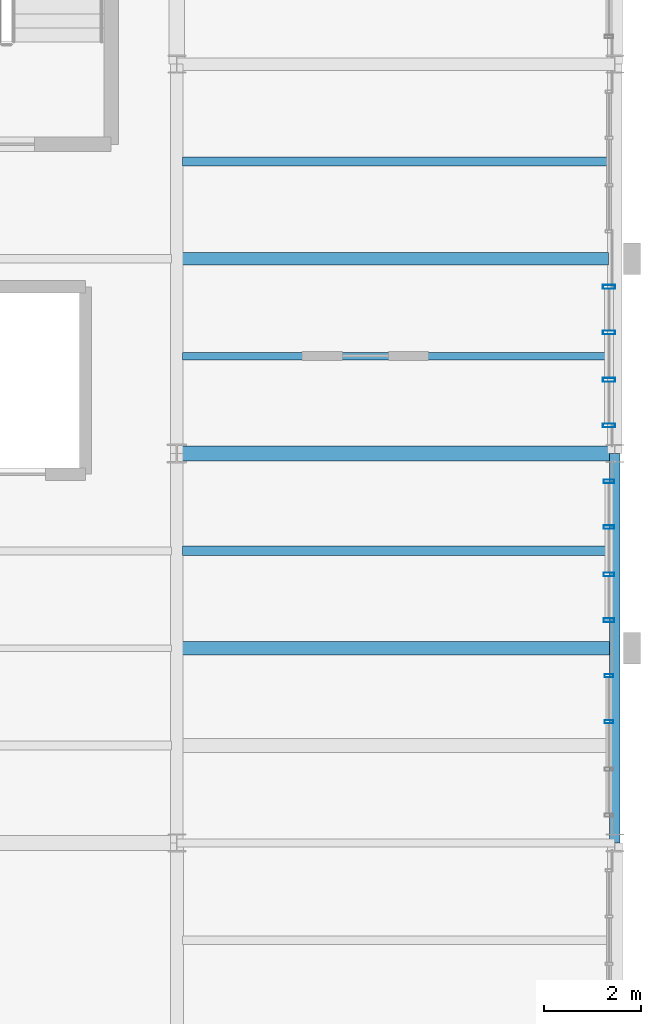
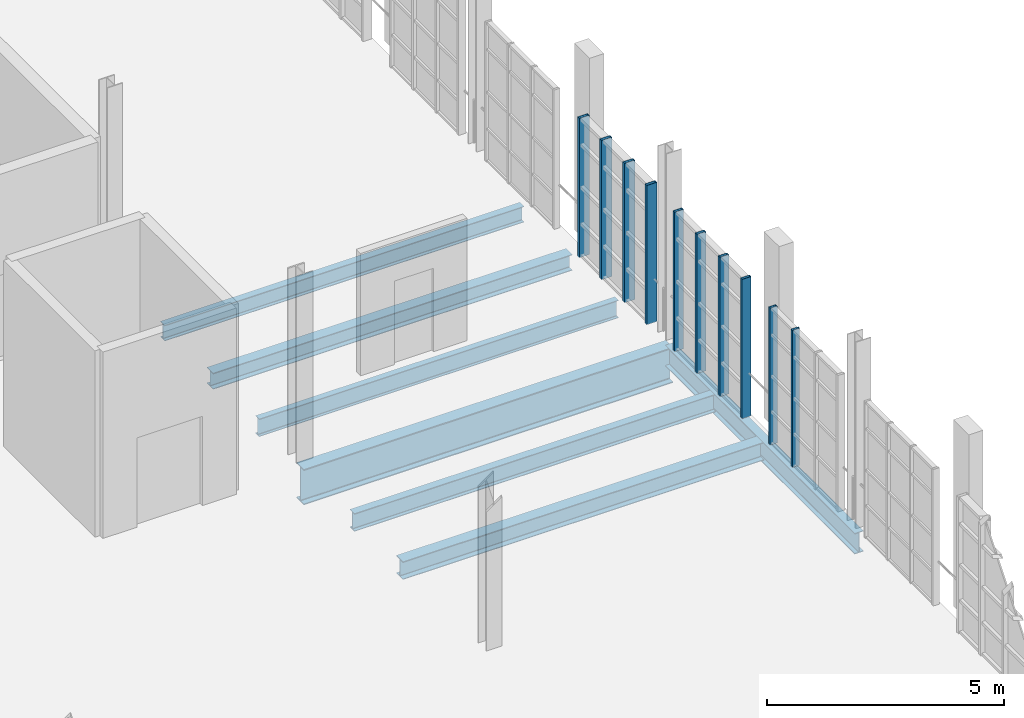
# One storey, part 57 of 122: 10 members, 7 beams, 3 elements without a shape of their own.
"""IFC4 building model written with IfcOpenShell, lengths in metres."""

from ifc_helpers import new_model, si_unit, direction, frame, origin, origin_2d, place, context, subcontext, project, spatial, hollow_rectangle, i_section, extrude, material, layer, layer_set, material_profile, profile_set, type_object, element, aggregate, save


model = new_model("IFC4")

# Units and contexts
model_context = context("Model", 3, precision=1e-05, world=origin(), true_north=direction((0.0, 1.0)))
body_context = subcontext(model_context, "Body", "Model", "MODEL_VIEW")
ifc_project = project(units=[si_unit("LENGTHUNIT", "METRE"), si_unit("AREAUNIT", "SQUARE_METRE"), si_unit("VOLUMEUNIT", "CUBIC_METRE"), si_unit("PLANEANGLEUNIT", "RADIAN"), si_unit("MASSUNIT", "GRAM", prefix="KILO"), si_unit("THERMODYNAMICTEMPERATUREUNIT", "KELVIN"), si_unit("POWERUNIT", "WATT")], contexts=[model_context])

# Site, building, storey
site_placement = place(None, origin())
site = spatial("IfcSite", under=ifc_project, at=site_placement, CompositionType="ELEMENT")
building_placement = place(site_placement, origin())
building = spatial("IfcBuilding", under=site, at=building_placement, Name="Zelmaris Science Centre", CompositionType="ELEMENT")
storey_placement = place(building_placement, frame((0.0, 0.0, 10.800048828125)))
storey = spatial("IfcBuildingStorey", under=building, at=storey_placement, Name="L02", CompositionType="ELEMENT", Elevation=10.800048828125)

# Curtain wall, members
ifc_material_1 = material(Name="Anodised architectural aluminium 6063-T6", Category="aluminium")
ifc_layer_1 = layer(ifc_material_1, 0.2099609375, Name="Anodised architectural aluminium 6063-T6")
ifc_layer_set_1 = layer_set([ifc_layer_1], Name="Anodised architectural aluminium 6063-T6")
curtain_wall_type_1 = type_object("IfcCurtainWallType", Name="Curtain Wall CW-03", PredefinedType="USERDEFINED", material=ifc_layer_set_1)
curtain_wall_1_placement = place(storey_placement, origin())
curtain_wall_1 = element("IfcCurtainWall", 1, at=curtain_wall_1_placement, inside=storey, type_object=curtain_wall_type_1, Name="L02 Unitised curtain wall 231", ObjectType="GLAZED CURTAIN WALL", PredefinedType="USERDEFINED")
ifc_material_profile_1 = material_profile(ifc_material_1, hollow_rectangle(XDim=0.06494140625, YDim=0.179931640625, WallThickness=0.00390625, at=origin_2d()), Name="ALU-MUL-65X180")
ifc_profile_set_1 = profile_set([ifc_material_profile_1], Name="Anodised architectural aluminium 6063-T6")
member_type_1 = type_object("IfcMemberType", Name="ALU-MUL-65X180", PredefinedType="MULLION", material=ifc_profile_set_1)
member_1_placement = place(storey_placement, frame((143.8798828125, 27.431396484375, -0.01513671875), z_axis=(0.0, 0.0, 1.0), x_axis=(0.0, -1.0, 0.0)))
member_1 = element("IfcMember", 2, at=member_1_placement, type_object=member_type_1, Name="CW-03 mullion 1", PredefinedType="MULLION", context=body_context, shape_type="SweptSolid", body=[
    extrude(hollow_rectangle(XDim=0.06494140625, YDim=0.179931640625, WallThickness=0.00390625, at=origin_2d()), origin(), (0.0, 0.0, 1.0), 3.529052734375),
])
member_2_placement = place(storey_placement, frame((143.8798828125, 26.486572265625, -0.01513671875), z_axis=(0.0, 0.0, 1.0), x_axis=(0.0, -1.0, 0.0)))
member_2 = element("IfcMember", 3, at=member_2_placement, type_object=member_type_1, Name="CW-03 mullion 2", PredefinedType="MULLION", context=body_context, shape_type="SweptSolid", body=[
    extrude(hollow_rectangle(XDim=0.06494140625, YDim=0.179931640625, WallThickness=0.00390625, at=origin_2d()), origin(), (0.0, 0.0, 1.0), 3.529052734375),
])
aggregate(curtain_wall_1, [member_1, member_2])

ifc_layer_2 = layer(ifc_material_1, 0.199951171875, Name="Anodised architectural aluminium 6063-T6")
ifc_layer_set_2 = layer_set([ifc_layer_2], Name="Anodised architectural aluminium 6063-T6")
curtain_wall_type_2 = type_object("IfcCurtainWallType", Name="Curtain Wall CW-02", PredefinedType="USERDEFINED", material=ifc_layer_set_2)
curtain_wall_2_placement = place(storey_placement, origin())
curtain_wall_2 = element("IfcCurtainWall", 4, at=curtain_wall_2_placement, inside=storey, type_object=curtain_wall_type_2, Name="L02 Unitised curtain wall 230", ObjectType="GLAZED CURTAIN WALL", PredefinedType="USERDEFINED")
ifc_material_profile_2 = material_profile(ifc_material_1, hollow_rectangle(XDim=0.074951171875, YDim=0.219970703125, WallThickness=0.0048828125, at=origin_2d()), Name="ALU-MUL-75X220")
ifc_profile_set_2 = profile_set([ifc_material_profile_2], Name="Anodised architectural aluminium 6063-T6")
member_type_2 = type_object("IfcMemberType", Name="ALU-MUL-75X220", PredefinedType="MULLION", material=ifc_profile_set_2)
member_3_placement = place(storey_placement, frame((143.8798828125, 31.426513671875, -0.01513671875), z_axis=(0.0, 0.0, 1.0), x_axis=(0.0, -1.0, 0.0)))
member_3 = element("IfcMember", 5, at=member_3_placement, type_object=member_type_2, Name="CW-02 mullion 1", PredefinedType="MULLION", context=body_context, shape_type="SweptSolid", body=[
    extrude(hollow_rectangle(XDim=0.074951171875, YDim=0.219970703125, WallThickness=0.0048828125, at=origin_2d()), origin(), (0.0, 0.0, 1.0), 3.588134765625),
])
member_4_placement = place(storey_placement, frame((143.8798828125, 30.486572265625, -0.01513671875), z_axis=(0.0, 0.0, 1.0), x_axis=(0.0, -1.0, 0.0)))
member_4 = element("IfcMember", 6, at=member_4_placement, type_object=member_type_2, Name="CW-02 mullion 2", PredefinedType="MULLION", context=body_context, shape_type="SweptSolid", body=[
    extrude(hollow_rectangle(XDim=0.074951171875, YDim=0.219970703125, WallThickness=0.0048828125, at=origin_2d()), origin(), (0.0, 0.0, 1.0), 3.588134765625),
])
member_5_placement = place(storey_placement, frame((143.8798828125, 29.513427734375, -0.01513671875), z_axis=(0.0, 0.0, 1.0), x_axis=(0.0, -1.0, 0.0)))
member_5 = element("IfcMember", 7, at=member_5_placement, type_object=member_type_2, Name="CW-02 mullion 3", PredefinedType="MULLION", context=body_context, shape_type="SweptSolid", body=[
    extrude(hollow_rectangle(XDim=0.074951171875, YDim=0.219970703125, WallThickness=0.0048828125, at=origin_2d()), origin(), (0.0, 0.0, 1.0), 3.588134765625),
])
member_6_placement = place(storey_placement, frame((143.8798828125, 28.573486328125, -0.01513671875), z_axis=(0.0, 0.0, 1.0), x_axis=(0.0, -1.0, 0.0)))
member_6 = element("IfcMember", 8, at=member_6_placement, type_object=member_type_2, Name="CW-02 mullion 4", PredefinedType="MULLION", context=body_context, shape_type="SweptSolid", body=[
    extrude(hollow_rectangle(XDim=0.074951171875, YDim=0.219970703125, WallThickness=0.0048828125, at=origin_2d()), origin(), (0.0, 0.0, 1.0), 3.588134765625),
])
aggregate(curtain_wall_2, [member_3, member_4, member_5, member_6])

ifc_layer_3 = layer(ifc_material_1, 0.18994140625, Name="Anodised architectural aluminium 6063-T6")
ifc_layer_set_3 = layer_set([ifc_layer_3], Name="Anodised architectural aluminium 6063-T6")
curtain_wall_type_3 = type_object("IfcCurtainWallType", Name="Curtain Wall CW-01", PredefinedType="USERDEFINED", material=ifc_layer_set_3)
curtain_wall_3_placement = place(storey_placement, origin())
curtain_wall_3 = element("IfcCurtainWall", 9, at=curtain_wall_3_placement, inside=storey, type_object=curtain_wall_type_3, Name="L02 Unitised curtain wall 229", ObjectType="GLAZED CURTAIN WALL", PredefinedType="USERDEFINED")
ifc_material_profile_3 = material_profile(ifc_material_1, hollow_rectangle(XDim=0.080078125, YDim=0.25, WallThickness=0.0048828125, at=origin_2d()), Name="ALU-MUL-80X250")
ifc_profile_set_3 = profile_set([ifc_material_profile_3], Name="Anodised architectural aluminium 6063-T6")
member_type_3 = type_object("IfcMemberType", Name="ALU-MUL-80X250", PredefinedType="MULLION", material=ifc_profile_set_3)
member_7_placement = place(storey_placement, frame((143.8798828125, 35.424072265625, -0.01513671875), z_axis=(0.0, 0.0, 1.0), x_axis=(0.0, -1.0, 0.0)))
member_7 = element("IfcMember", 10, at=member_7_placement, type_object=member_type_3, Name="CW-01 mullion 1", PredefinedType="MULLION", context=body_context, shape_type="SweptSolid", body=[
    extrude(hollow_rectangle(XDim=0.080078125, YDim=0.25, WallThickness=0.0048828125, at=origin_2d()), origin(), (0.0, 0.0, 1.0), 3.588134765625),
])
member_8_placement = place(storey_placement, frame((143.8798828125, 34.486572265625, -0.01513671875), z_axis=(0.0, 0.0, 1.0), x_axis=(0.0, -1.0, 0.0)))
member_8 = element("IfcMember", 11, at=member_8_placement, type_object=member_type_3, Name="CW-01 mullion 2", PredefinedType="MULLION", context=body_context, shape_type="SweptSolid", body=[
    extrude(hollow_rectangle(XDim=0.080078125, YDim=0.25, WallThickness=0.0048828125, at=origin_2d()), origin(), (0.0, 0.0, 1.0), 3.588134765625),
])
member_9_placement = place(storey_placement, frame((143.8798828125, 33.513427734375, -0.01513671875), z_axis=(0.0, 0.0, 1.0), x_axis=(0.0, -1.0, 0.0)))
member_9 = element("IfcMember", 12, at=member_9_placement, type_object=member_type_3, Name="CW-01 mullion 3", PredefinedType="MULLION", context=body_context, shape_type="SweptSolid", body=[
    extrude(hollow_rectangle(XDim=0.080078125, YDim=0.25, WallThickness=0.0048828125, at=origin_2d()), origin(), (0.0, 0.0, 1.0), 3.588134765625),
])
member_10_placement = place(storey_placement, frame((143.8798828125, 32.575927734375, -0.01513671875), z_axis=(0.0, 0.0, 1.0), x_axis=(0.0, -1.0, 0.0)))
member_10 = element("IfcMember", 13, at=member_10_placement, type_object=member_type_3, Name="CW-01 mullion 4", PredefinedType="MULLION", context=body_context, shape_type="SweptSolid", body=[
    extrude(hollow_rectangle(XDim=0.080078125, YDim=0.25, WallThickness=0.0048828125, at=origin_2d()), origin(), (0.0, 0.0, 1.0), 3.588134765625),
])
aggregate(curtain_wall_3, [member_7, member_8, member_9, member_10])

# Beams
ifc_material_2 = material(Name="Steel ASTM A992 Grade 50", Category="steel")
ifc_material_profile_4 = material_profile(ifc_material_2, i_section(OverallWidth=0.304931640625, OverallDepth=0.9140625, WebThickness=0.0166015625, FlangeThickness=0.02587890625, FilletRadius=0.02392578125, at=origin_2d()), Name="W36X160")
ifc_profile_set_4 = profile_set([ifc_material_profile_4], Name="Steel ASTM A992 Grade 50")
beam_type_1 = type_object("IfcBeamType", Name="Beam G-04 W36X160", PredefinedType="BEAM", material=ifc_profile_set_4)
beam_1_placement = place(storey_placement, frame((135.0, 32.0, -0.717041015625), z_axis=(1.0, 0.0, 0.0), x_axis=(0.0, 1.0, 0.0)))
element("IfcBeam", 14, at=beam_1_placement, inside=storey, type_object=beam_type_1, Name="L02 East-west girder 559", PredefinedType="BEAM", context=body_context, shape_type="SweptSolid", body=[
    extrude(i_section(OverallWidth=0.304931640625, OverallDepth=0.9140625, WebThickness=0.0166015625, FlangeThickness=0.02587890625, FilletRadius=0.02392578125, at=origin_2d()), origin(), (0.0, 0.0, 1.0), 9.0),
])
ifc_material_profile_5 = material_profile(ifc_material_2, i_section(OverallWidth=0.2109375, OverallDepth=0.5380859375, WebThickness=0.01171875, FlangeThickness=0.018798828125, FilletRadius=0.013916015625, at=origin_2d()), Name="W21X73")
ifc_profile_set_5 = profile_set([ifc_material_profile_5], Name="Steel ASTM A992 Grade 50")
beam_type_2 = type_object("IfcBeamType", Name="Beam G-19 W21X73", PredefinedType="BEAM", material=ifc_profile_set_5)
beam_2_placement = place(storey_placement, frame((144.0, 24.0, -0.529052734375), z_axis=(0.0, 1.0, 0.0), x_axis=(-1.0, 0.0, 0.0)))
element("IfcBeam", 15, at=beam_2_placement, inside=storey, type_object=beam_type_2, Name="L02 North-south girder 539", PredefinedType="BEAM", context=body_context, shape_type="SweptSolid", body=[
    extrude(i_section(OverallWidth=0.2109375, OverallDepth=0.5380859375, WebThickness=0.01171875, FlangeThickness=0.018798828125, FilletRadius=0.013916015625, at=origin_2d()), origin(), (0.0, 0.0, 1.0), 8.0),
])
ifc_material_profile_6 = material_profile(ifc_material_2, i_section(OverallWidth=0.279052734375, OverallDepth=0.4619140625, WebThickness=0.0107421875, FlangeThickness=0.017333984375, FilletRadius=0.012939453125, at=origin_2d()), Name="W18X76")
ifc_profile_set_6 = profile_set([ifc_material_profile_6], Name="Steel ASTM A992 Grade 50")
beam_type_3 = type_object("IfcBeamType", Name="Beam J-03 W18X76", PredefinedType="JOIST", material=ifc_profile_set_6)
beam_3_placement = place(storey_placement, frame((135.113525390625, 28.0, -0.490966796875), z_axis=(1.0, 0.0, 0.0), x_axis=(0.0, 1.0, 0.0)))
element("IfcBeam", 16, at=beam_3_placement, inside=storey, type_object=beam_type_3, Name="L02 Composite floor joist 308", PredefinedType="JOIST", context=body_context, shape_type="SweptSolid", body=[
    extrude(i_section(OverallWidth=0.279052734375, OverallDepth=0.4619140625, WebThickness=0.0107421875, FlangeThickness=0.017333984375, FilletRadius=0.012939453125, at=origin_2d()), origin(), (0.0, 0.0, 1.0), 8.7958984375),
])
ifc_material_profile_7 = material_profile(ifc_material_2, i_section(OverallWidth=0.19091796875, OverallDepth=0.4599609375, WebThickness=0.010009765625, FlangeThickness=0.01611328125, FilletRadius=0.012939453125, at=origin_2d()), Name="W18X55")
ifc_profile_set_7 = profile_set([ifc_material_profile_7], Name="Steel ASTM A992 Grade 50")
beam_type_4 = type_object("IfcBeamType", Name="Beam J-04 W18X55", PredefinedType="JOIST", material=ifc_profile_set_7)
beam_4_placement = place(storey_placement, frame((135.113525390625, 30.0, -0.489990234375), z_axis=(1.0, 0.0, 0.0), x_axis=(0.0, 1.0, 0.0)))
element("IfcBeam", 17, at=beam_4_placement, inside=storey, type_object=beam_type_4, Name="L02 Composite floor joist 309", PredefinedType="JOIST", context=body_context, shape_type="SweptSolid", body=[
    extrude(i_section(OverallWidth=0.19091796875, OverallDepth=0.4599609375, WebThickness=0.010009765625, FlangeThickness=0.01611328125, FilletRadius=0.012939453125, at=origin_2d()), origin(), (0.0, 0.0, 1.0), 8.7958984375),
])
ifc_material_profile_8 = material_profile(ifc_material_2, i_section(OverallWidth=0.152099609375, OverallDepth=0.455078125, WebThickness=0.008056640625, FlangeThickness=0.01318359375, FilletRadius=0.012939453125, at=origin_2d()), Name="W18X40")
ifc_profile_set_8 = profile_set([ifc_material_profile_8], Name="Steel ASTM A992 Grade 50")
beam_type_5 = type_object("IfcBeamType", Name="Beam J-05 W18X40", PredefinedType="JOIST", material=ifc_profile_set_8)
beam_5_placement = place(storey_placement, frame((135.112060546875, 34.0, -0.487548828125), z_axis=(1.0, 0.0, 0.0), x_axis=(0.0, 1.0, 0.0)))
element("IfcBeam", 18, at=beam_5_placement, inside=storey, type_object=beam_type_5, Name="L02 Composite floor joist 310", PredefinedType="JOIST", context=body_context, shape_type="SweptSolid", body=[
    extrude(i_section(OverallWidth=0.152099609375, OverallDepth=0.455078125, WebThickness=0.008056640625, FlangeThickness=0.01318359375, FilletRadius=0.012939453125, at=origin_2d()), origin(), (0.0, 0.0, 1.0), 8.7529296875),
])
ifc_material_profile_9 = material_profile(ifc_material_2, i_section(OverallWidth=0.260009765625, OverallDepth=0.4140625, WebThickness=0.010009765625, FlangeThickness=0.016845703125, FilletRadius=0.011962890625, at=origin_2d()), Name="W16X67")
ifc_profile_set_9 = profile_set([ifc_material_profile_9], Name="Steel ASTM A992 Grade 50")
beam_type_6 = type_object("IfcBeamType", Name="Beam J-06 W16X67", PredefinedType="JOIST", material=ifc_profile_set_9)
beam_6_placement = place(storey_placement, frame((135.112060546875, 36.0, -0.467041015625), z_axis=(1.0, 0.0, 0.0), x_axis=(0.0, 1.0, 0.0)))
element("IfcBeam", 19, at=beam_6_placement, inside=storey, type_object=beam_type_6, Name="L02 Composite floor joist 311", PredefinedType="JOIST", context=body_context, shape_type="SweptSolid", body=[
    extrude(i_section(OverallWidth=0.260009765625, OverallDepth=0.4140625, WebThickness=0.010009765625, FlangeThickness=0.016845703125, FilletRadius=0.011962890625, at=origin_2d()), origin(), (0.0, 0.0, 1.0), 8.7529296875),
])
ifc_material_profile_10 = material_profile(ifc_material_2, i_section(OverallWidth=0.177978515625, OverallDepth=0.408935546875, WebThickness=0.0087890625, FlangeThickness=0.014404296875, FilletRadius=0.011962890625, at=origin_2d()), Name="W16X45")
ifc_profile_set_10 = profile_set([ifc_material_profile_10], Name="Steel ASTM A992 Grade 50")
beam_type_7 = type_object("IfcBeamType", Name="Beam J-07 W16X45", PredefinedType="JOIST", material=ifc_profile_set_10)
beam_7_placement = place(storey_placement, frame((135.112060546875, 38.0, -0.464599609375), z_axis=(1.0, 0.0, 0.0), x_axis=(0.0, 1.0, 0.0)))
element("IfcBeam", 20, at=beam_7_placement, inside=storey, type_object=beam_type_7, Name="L02 Composite floor joist 312", PredefinedType="JOIST", context=body_context, shape_type="SweptSolid", body=[
    extrude(i_section(OverallWidth=0.177978515625, OverallDepth=0.408935546875, WebThickness=0.0087890625, FlangeThickness=0.014404296875, FilletRadius=0.011962890625, at=origin_2d()), origin(), (0.0, 0.0, 1.0), 8.7529296875),
])

save(model, "model.ifc")
